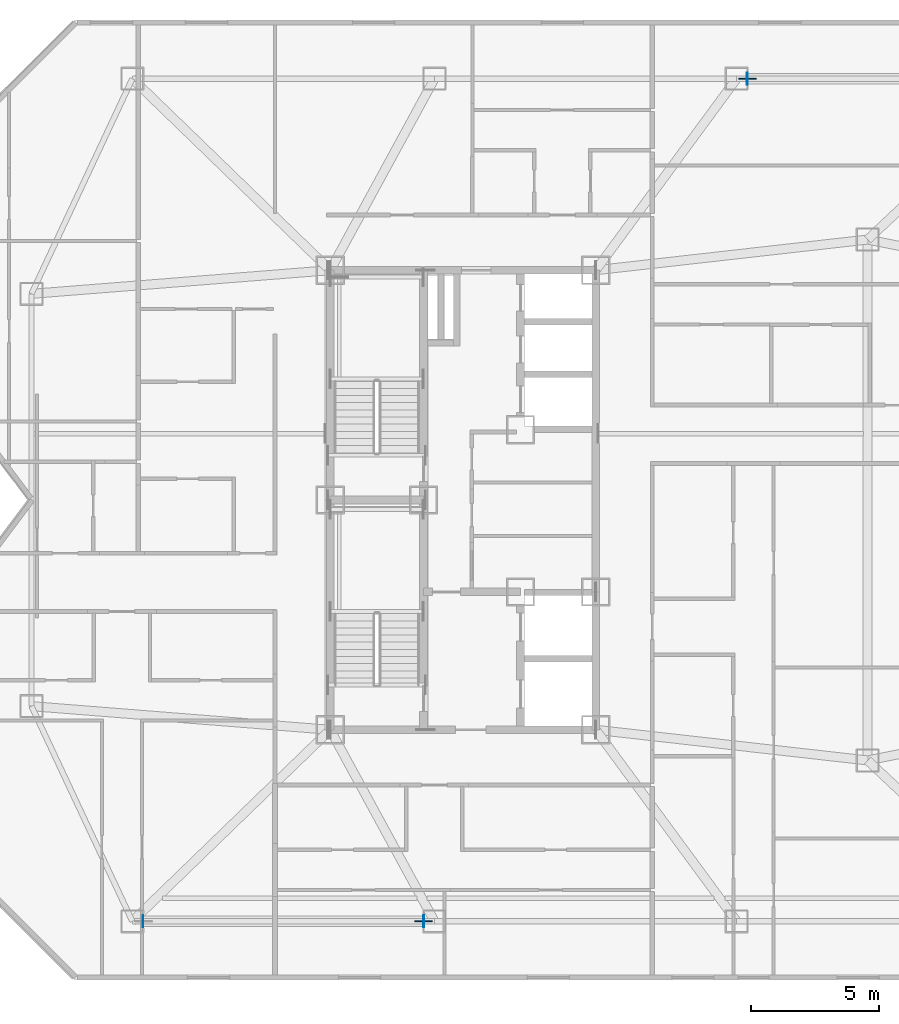
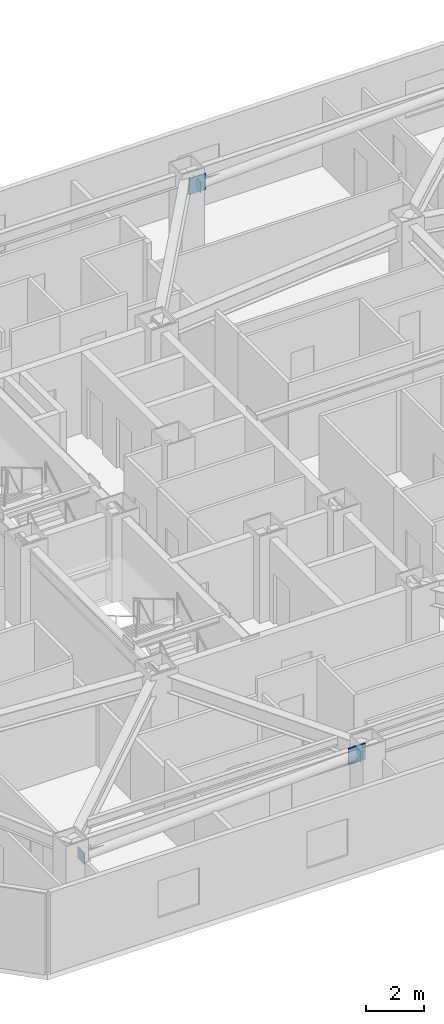
# One storey, part 9 of 18: 5 plates.
"""IFC4 building model written with IfcOpenShell, lengths in metres."""

from ifc_helpers import new_model, si_unit, direction, frame, origin, origin_2d, place, context, subcontext, project, spatial, rectangle, extrude, material, layer, layer_set, type_object, element, save


model = new_model("IFC4")

# Units and contexts
model_context = context("Model", 3, precision=1e-05, world=origin(), true_north=direction((0.0, 1.0)))
body_context = subcontext(model_context, "Body", "Model", "MODEL_VIEW")
ifc_project = project(units=[si_unit("LENGTHUNIT", "METRE"), si_unit("AREAUNIT", "SQUARE_METRE"), si_unit("VOLUMEUNIT", "CUBIC_METRE"), si_unit("PLANEANGLEUNIT", "RADIAN"), si_unit("MASSUNIT", "GRAM", prefix="KILO")], contexts=[model_context])

# Site, building, storey
site_placement = place(None, origin())
site = spatial("IfcSite", under=ifc_project, at=site_placement, CompositionType="ELEMENT")
building_placement = place(site_placement, origin())
building = spatial("IfcBuilding", under=site, at=building_placement, Name="Khamvora Tower", CompositionType="ELEMENT")
storey_placement = place(building_placement, frame((0.0, 0.0, 181.449951171875)))
storey = spatial("IfcBuildingStorey", under=building, at=storey_placement, Name="L46", CompositionType="ELEMENT", Elevation=181.449951171875)

# Plates
ifc_material_1 = material(Name="Steel S355", Category="steel")
ifc_layer_1 = layer(ifc_material_1, 0.02490234375)
ifc_layer_set_1 = layer_set([ifc_layer_1], Name="Steel S355")
plate_type_1 = type_object("IfcPlateType", Name="PL-CAP-25", PredefinedType="SHEET", material=ifc_layer_set_1)
for number, where, z_axis, x_axis, name in (
    (1, (21.66796875, 11.5, 2.4638671875), (0.0, 0.0, 1.0), (1.0, 0.0, 0.0), "L46 hollow section steel end cap plate 0964"),
    (2, (32.6650390625, 11.5, 2.912109375), (0.0, 0.0, 1.0), (1.0, 0.0, 0.0), "L46 hollow section steel end cap plate 0965"),
    (3, (45.3349609375, 44.5, 2.4638671875), (0.0, 0.0, 1.0), (1.0, 0.0, 0.0), "L46 hollow section steel end cap plate 0966"),
):
    element("IfcPlate", number, at=place(storey_placement, frame(where, z_axis=z_axis, x_axis=x_axis)), inside=storey, type_object=plate_type_1, Name=name, PredefinedType="SHEET", context=body_context, shape_type="SweptSolid", body=[
        extrude(rectangle(XDim=0.02490234375, YDim=0.466064453125, at=origin_2d()), origin(), (0.0, 0.0, 1.0), 0.466064453125),
    ])
ifc_material_2 = material(Name="Steel S460", Category="steel")
ifc_layer_2 = layer(ifc_material_2, 0.0400390625)
ifc_layer_set_2 = layer_set([ifc_layer_2], Name="Steel S460")
plate_type_2 = type_object("IfcPlateType", Name="PLT-GUS-40", PredefinedType="SHEET", material=ifc_layer_set_2)
for number, where, z_axis, x_axis, name in (
    (4, (32.653076171875, 11.5, 2.80419921875), (0.0, 0.0, 1.0), (1.0, 0.0, 0.0), "L46 brace connection node gusset plate 0302"),
    (5, (45.346923828125, 44.5, 2.35791015625), (0.0, 0.0, 1.0), (1.0, 0.0, 0.0), "L46 brace connection node gusset plate 0303"),
):
    element("IfcPlate", number, at=place(storey_placement, frame(where, z_axis=z_axis, x_axis=x_axis)), inside=storey, type_object=plate_type_2, Name=name, PredefinedType="SHEET", context=body_context, shape_type="SweptSolid", body=[
        extrude(rectangle(XDim=0.679931640625, YDim=0.0400390625, at=origin_2d()), origin(), (0.0, 0.0, 1.0), 0.679931640625),
    ])

save(model, "model.ifc")
